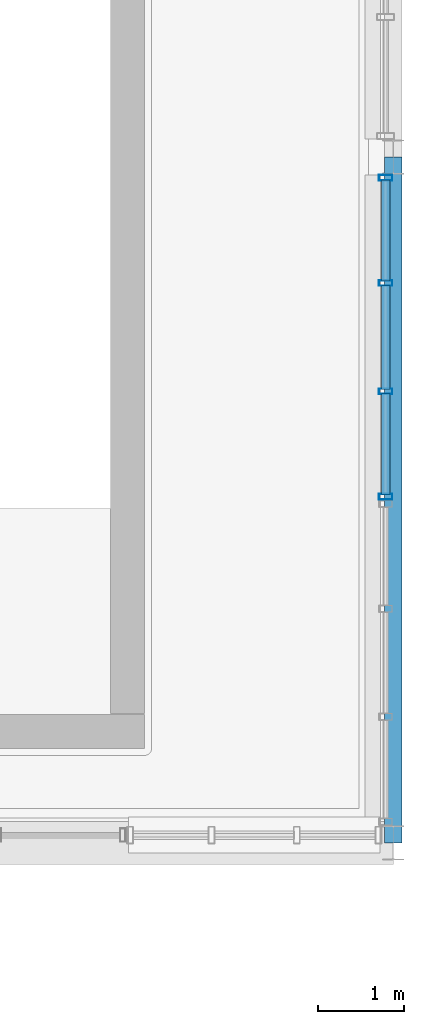
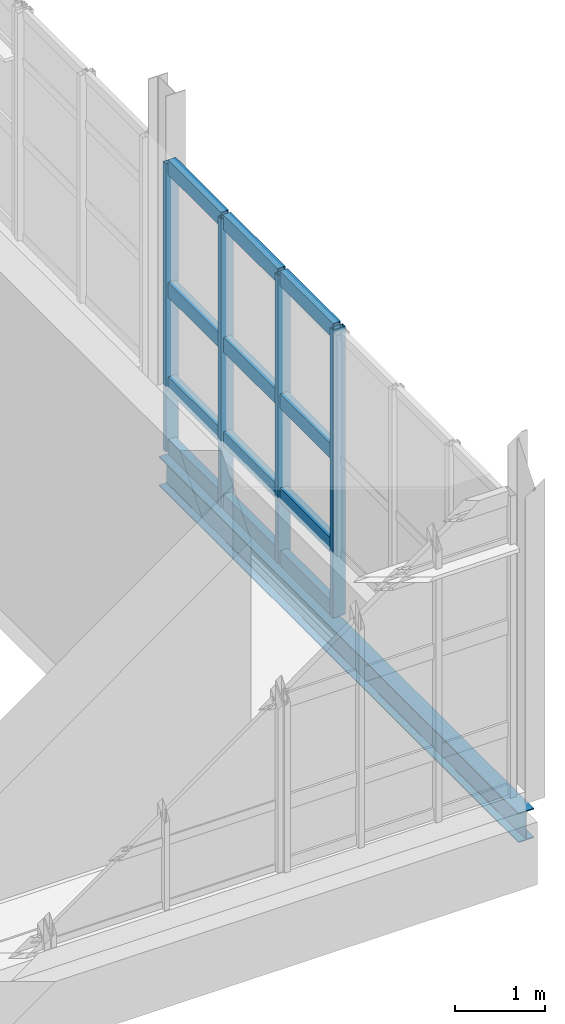
# One storey, part 54 of 102: 16 members, 1 beam, 1 element without a shape of its own.
"""IFC4 building model written with IfcOpenShell, lengths in metres."""

import ifcopenshell
import ifcopenshell.guid

model = None  # the IFC model being written
_history = None  # IfcOwnerHistory: only IFC2X3 demands one
_inside = {}  # id of a spatial element -> (the spatial element, [elements in it])
_under = {}  # id of a project, library or spatial element -> (it, [spatial elements below it])
_declared = {}  # id of a project -> (the project, [libraries it declares])
_typed = {}  # id of a type object -> (the type object, [elements of that type])
_made_of = {}  # id of a material, layer set ... -> (it, [elements and type objects made of it])


def new_model(schema):
    """Start an empty IFC model of exactly this schema.

    Asked for "IFC4X3", IfcOpenShell would pick the latest addendum, in which some entities
    have other attributes; the version numbers below select the first issue.
    IFC2X3 requires an IfcOwnerHistory on every rooted entity: one is made here for all.
    """
    global model, _history
    if schema == "IFC4X3":
        model = ifcopenshell.file(schema_version=(4, 3, 0, 0))
    else:
        model = ifcopenshell.file(schema=schema)
    _inside.clear()
    _under.clear()
    _declared.clear()
    _typed.clear()
    _made_of.clear()
    _history = None
    if model.schema == "IFC2X3":
        org = make("IfcOrganization", Name="unknown")
        user = make(
            "IfcPersonAndOrganization",
            ThePerson=make("IfcPerson", FamilyName="unknown"),
            TheOrganization=org,
        )
        app = make(
            "IfcApplication",
            ApplicationDeveloper=org,
            Version="unknown",
            ApplicationFullName="unknown",
            ApplicationIdentifier="unknown",
        )
        _history = make(
            "IfcOwnerHistory",
            OwningUser=user,
            OwningApplication=app,
            ChangeAction="ADDED",
            CreationDate=0,
        )
    return model


def make(cls, **values):
    """One entity of the class cls with the attributes given. An attribute that is None is left unset."""
    return model.create_entity(
        cls, **{name: value for name, value in values.items() if value is not None}
    )


def rooted(cls, **values):
    """An entity with a GlobalId (a new one), such as an element, a storey or a relation."""
    return make(cls, GlobalId=ifcopenshell.guid.new(), OwnerHistory=_history, **values)


def si_unit(unit_type, name, prefix=None):
    """IfcSIUnit, for example si_unit("LENGTHUNIT", "METRE", prefix="MILLI")."""
    return make("IfcSIUnit", UnitType=unit_type, Prefix=prefix, Name=name)


def derived_unit(unit_type, elements):
    """IfcDerivedUnit: a product of units, each with its exponent."""
    return make(
        "IfcDerivedUnit",
        Elements=[
            make("IfcDerivedUnitElement", Unit=unit, Exponent=power)
            for unit, power in elements
        ],
        UnitType=unit_type,
    )


def assignment(units):
    """IfcUnitAssignment: the units of a project."""
    return None if units is None else make("IfcUnitAssignment", Units=units)


def point(xyz):
    """IfcCartesianPoint."""
    return None if xyz is None else make("IfcCartesianPoint", Coordinates=xyz)


def direction(xyz):
    """IfcDirection."""
    return None if xyz is None else make("IfcDirection", DirectionRatios=xyz)


def frame(location, z_axis=None, x_axis=None):
    """IfcAxis2Placement3D, a coordinate frame: its origin and axes. An axis left out is left unset."""
    return make(
        "IfcAxis2Placement3D",
        Location=point(location),
        Axis=direction(z_axis),
        RefDirection=direction(x_axis),
    )


def frame_2d(location, x_axis=None):
    """IfcAxis2Placement2D, a coordinate frame in the plane: its origin and x axis."""
    return make(
        "IfcAxis2Placement2D", Location=point(location), RefDirection=direction(x_axis)
    )


def origin():
    """The frame at (0, 0, 0) with its axes left unset."""
    return frame((0.0, 0.0, 0.0))


def origin_2d():
    """The frame at (0, 0) in the plane with its x axis left unset."""
    return frame_2d((0.0, 0.0))


def place(relative_to, where):
    """IfcLocalPlacement: puts the frame where relative to a parent placement (None: the world)."""
    return make(
        "IfcLocalPlacement", PlacementRelTo=relative_to, RelativePlacement=where
    )


def context(
    kind, dimensions, precision=None, world=None, true_north=None, identifier=None
):
    """IfcGeometricRepresentationContext, for example the 3D "Model" context."""
    return make(
        "IfcGeometricRepresentationContext",
        ContextIdentifier=identifier,
        ContextType=kind,
        CoordinateSpaceDimension=dimensions,
        Precision=precision,
        WorldCoordinateSystem=world,
        TrueNorth=true_north,
    )


def subcontext(parent, identifier, kind, view, scale=None):
    """IfcGeometricRepresentationSubContext, for example "Body" below "Model"."""
    return make(
        "IfcGeometricRepresentationSubContext",
        ContextIdentifier=identifier,
        ContextType=kind,
        ParentContext=parent,
        TargetScale=scale,
        TargetView=view,
    )


def project(units=None, contexts=None):
    """IfcProject with its units and contexts."""
    return rooted(
        "IfcProject",
        Name="project",
        RepresentationContexts=contexts,
        UnitsInContext=assignment(units),
    )


def spatial(cls, under=None, at=None, **own):
    """A site, building, storey or space (cls), placed at a placement, below another one or the project."""
    s = rooted(cls, ObjectPlacement=at, **own)
    if under is not None:
        _under.setdefault(under.id(), (under, []))[1].append(s)
    return s


def profile(cls, at=None, kind="AREA", **sizes):
    """A parametric profile (cls). Its sizes go by their IFC names, for example OverallWidth=200.0."""
    return make(cls, ProfileType=kind, Position=at, **sizes)


def hollow_rectangle(**sizes):
    """IfcRectangleHollowProfileDef."""
    return profile("IfcRectangleHollowProfileDef", **sizes)


def i_section(**sizes):
    """IfcIShapeProfileDef."""
    return profile("IfcIShapeProfileDef", **sizes)


def extrude(swept, where, along, depth):
    """IfcExtrudedAreaSolid: the profile swept, set in the frame where, extruded along a direction by depth."""
    return make(
        "IfcExtrudedAreaSolid",
        SweptArea=swept,
        Position=where,
        ExtrudedDirection=direction(along),
        Depth=depth,
    )


def shape(context_of_items, identifier, shape_type, items):
    """IfcShapeRepresentation: the items that make up one representation, for example the "Body"."""
    return make(
        "IfcShapeRepresentation",
        ContextOfItems=context_of_items,
        RepresentationIdentifier=identifier,
        RepresentationType=shape_type,
        Items=items,
    )


def material(Name=None, Category=None):
    """IfcMaterial."""
    return make("IfcMaterial", Name=Name, Category=Category)


def layer(
    of_material, thickness, ventilated=None, Name=None, Category=None, Priority=None
):
    """IfcMaterialLayer: one layer of a wall or slab, of a material (None: an air gap)."""
    return make(
        "IfcMaterialLayer",
        Material=of_material,
        LayerThickness=thickness,
        IsVentilated=ventilated,
        Name=Name,
        Category=Category,
        Priority=Priority,
    )


def layer_set(layers, Name=None):
    """IfcMaterialLayerSet."""
    return make("IfcMaterialLayerSet", MaterialLayers=layers, LayerSetName=Name)


def material_profile(
    of_material, cross_section, Name=None, Category=None, Priority=None
):
    """IfcMaterialProfile: a cross section and its material."""
    return make(
        "IfcMaterialProfile",
        Name=Name,
        Material=of_material,
        Profile=cross_section,
        Priority=Priority,
        Category=Category,
    )


def profile_set(profiles, Name=None, composite=None):
    """IfcMaterialProfileSet."""
    return make(
        "IfcMaterialProfileSet",
        Name=Name,
        MaterialProfiles=profiles,
        CompositeProfile=composite,
    )


def made_of(thing, what):
    """Note that an element or type object is made of a material, layer set ...; save() writes the relation."""
    if what is not None:
        _made_of.setdefault(what.id(), (what, []))[1].append(thing)
    return thing


def type_object(cls, material=None, **own):
    """A type object (cls), such as IfcWallType, which elements share."""
    return made_of(rooted(cls, **own), material)


def element(
    cls,
    number,
    at=None,
    inside=None,
    cuts=None,
    type_object=None,
    material=None,
    context=None,
    identifier="Body",
    shape_type=None,
    held_by="IfcProductDefinitionShape",
    body=None,
    shapes=None,
    **own,
):
    """One element of the class cls, such as IfcWall. Its Tag is "e" and its number.

    at: its placement. inside: the storey or other place that contains it. cuts: it is an
    opening in that element (IfcRelVoidsElement). A single representation is given by context,
    identifier, shape_type and body (its items); several are given by shapes. held_by: the class
    of the entity that holds the representations. save() writes the other relations.
    """
    e = rooted(cls, Tag="e%d" % number, ObjectPlacement=at, **own)
    if body is not None:
        shapes = [shape(context, identifier, shape_type, body)]
    if shapes is not None:
        e.Representation = make(held_by, Representations=shapes)
    if inside is not None:
        _inside.setdefault(inside.id(), (inside, []))[1].append(e)
    if cuts is not None:
        rooted(
            "IfcRelVoidsElement", RelatingBuildingElement=cuts, RelatedOpeningElement=e
        )
    if type_object is not None:
        _typed.setdefault(type_object.id(), (type_object, []))[1].append(e)
    return made_of(e, material)


def aggregate(whole, parts):
    """IfcRelAggregates: a whole, such as a stair, and the parts it consists of."""
    return rooted("IfcRelAggregates", RelatingObject=whole, RelatedObjects=parts)


def save(model, path):
    """Write the relations noted so far, then the file.

    IfcRelAggregates (storeys below a building ...), IfcRelContainedInSpatialStructure (elements
    in a storey), IfcRelDefinesByType, IfcRelAssociatesMaterial and IfcRelDeclares: one each for
    every whole, place, type object, material and project.
    """
    for whole, parts in _under.values():
        aggregate(whole, parts)
    for where, things in _inside.values():
        rooted(
            "IfcRelContainedInSpatialStructure",
            RelatedElements=things,
            RelatingStructure=where,
        )
    for kind, things in _typed.values():
        rooted("IfcRelDefinesByType", RelatedObjects=things, RelatingType=kind)
    for what, things in _made_of.values():
        rooted("IfcRelAssociatesMaterial", RelatedObjects=things, RelatingMaterial=what)
    for by, libraries in _declared.values():
        rooted("IfcRelDeclares", RelatingContext=by, RelatedDefinitions=libraries)
    model.write(path)


model = new_model("IFC4")

# Units and contexts
model_context = context("Model", 3, precision=1e-05, world=origin(), true_north=direction((0.0, 1.0)))
body_context = subcontext(model_context, "Body", "Model", "MODEL_VIEW")
ifc_project = project(units=[si_unit("LENGTHUNIT", "METRE"), si_unit("AREAUNIT", "SQUARE_METRE"), si_unit("VOLUMEUNIT", "CUBIC_METRE"), si_unit("PLANEANGLEUNIT", "RADIAN"), si_unit("MASSUNIT", "GRAM", prefix="KILO"), derived_unit("THERMALTRANSMITTANCEUNIT", [(si_unit("POWERUNIT", "WATT"), 1), (si_unit("LENGTHUNIT", "METRE"), -2), (si_unit("THERMODYNAMICTEMPERATUREUNIT", "KELVIN"), -1)])], contexts=[model_context])

# Site, building, storey
site_placement = place(None, origin())
site = spatial("IfcSite", under=ifc_project, at=site_placement, CompositionType="ELEMENT")
building_placement = place(site_placement, origin())
building = spatial("IfcBuilding", under=site, at=building_placement, Name="Nallur Shell Playhouse", CompositionType="ELEMENT")
storey_placement = place(building_placement, frame((0.0, 0.0, 15.0)))
storey = spatial("IfcBuildingStorey", under=building, at=storey_placement, Name="L04", CompositionType="ELEMENT", Elevation=15.0)

# Beam
ifc_material_1 = material(Name="Steel E350", Category="steel")
ifc_material_profile_1 = material_profile(ifc_material_1, i_section(OverallWidth=0.199951171875, OverallDepth=0.39990234375, WebThickness=0.008544921875, FlangeThickness=0.012939453125, FilletRadius=0.012939453125, at=origin_2d()), Name="ISWB 400")
ifc_profile_set_1 = profile_set([ifc_material_profile_1], Name="Steel E350")
beam_type = type_object("IfcBeamType", Name="BM-ST-ISWB400", PredefinedType="BEAM", material=ifc_profile_set_1)
beam_placement = place(storey_placement, frame((159.800048828125, 24.0, -0.4599609375), z_axis=(0.0, 1.0, 0.0), x_axis=(-1.0, 0.0, 0.0)))
element("IfcBeam", 1, at=beam_placement, inside=storey, type_object=beam_type, Name="L04 girder Y-19-869", PredefinedType="BEAM", context=body_context, shape_type="SweptSolid", body=[
    extrude(i_section(OverallWidth=0.199951171875, OverallDepth=0.39990234375, WebThickness=0.008544921875, FlangeThickness=0.012939453125, FilletRadius=0.012939453125, at=origin_2d()), origin(), (0.0, 0.0, 1.0), 8.0),
])

# Curtain wall, members
ifc_material_2 = material(Name="Anodised Aluminium Double-Glazed Facade System", Category="aluminium")
ifc_layer = layer(ifc_material_2, 0.176025390625)
ifc_layer_set = layer_set([ifc_layer], Name="Anodised Aluminium Double-Glazed Facade System")
curtain_wall_type = type_object("IfcCurtainWallType", Name="CW-UNIT-22", PredefinedType="NOTDEFINED", material=ifc_layer_set)
curtain_wall_placement = place(storey_placement, origin())
curtain_wall = element("IfcCurtainWall", 2, at=curtain_wall_placement, inside=storey, type_object=curtain_wall_type, Name="Unitised curtain wall CW-118 (L04)", PredefinedType="NOTDEFINED")
ifc_material_3 = material(Name="Aluminium Alloy 6063-T6 Mullion", Category="aluminium")
ifc_material_profile_2 = material_profile(ifc_material_3, hollow_rectangle(XDim=0.06494140625, YDim=0.159912109375, WallThickness=0.00390625, at=origin_2d()), Name="ALU 65x160x4")
ifc_profile_set_2 = profile_set([ifc_material_profile_2], Name="Aluminium Alloy 6063-T6 Mullion")
member_type_1 = type_object("IfcMemberType", Name="MB-CW-MUL160", PredefinedType="MULLION", material=ifc_profile_set_2)
member_1_placement = place(storey_placement, frame((159.7099609375, 31.759521484375, -0.014892578125), z_axis=(0.0, 0.0, 1.0), x_axis=(0.0, -1.0, 0.0)))
member_1 = element("IfcMember", 3, at=member_1_placement, type_object=member_type_1, Name="CW-22 mullion 1", PredefinedType="MULLION", context=body_context, shape_type="SweptSolid", body=[
    extrude(hollow_rectangle(XDim=0.06494140625, YDim=0.159912109375, WallThickness=0.00390625, at=origin_2d()), origin(), (0.0, 0.0, 1.0), 3.913818359375),
])
member_2_placement = place(storey_placement, frame((159.7099609375, 30.52978515625, -0.014892578125), z_axis=(0.0, 0.0, 1.0), x_axis=(0.0, -1.0, 0.0)))
member_2 = element("IfcMember", 4, at=member_2_placement, type_object=member_type_1, Name="CW-22 mullion 2", PredefinedType="MULLION", context=body_context, shape_type="SweptSolid", body=[
    extrude(hollow_rectangle(XDim=0.06494140625, YDim=0.159912109375, WallThickness=0.00390625, at=origin_2d()), origin(), (0.0, 0.0, 1.0), 3.913818359375),
])
member_3_placement = place(storey_placement, frame((159.7099609375, 29.267333984375, -0.014892578125), z_axis=(0.0, 0.0, 1.0), x_axis=(0.0, -1.0, 0.0)))
member_3 = element("IfcMember", 5, at=member_3_placement, type_object=member_type_1, Name="CW-22 mullion 3", PredefinedType="MULLION", context=body_context, shape_type="SweptSolid", body=[
    extrude(hollow_rectangle(XDim=0.06494140625, YDim=0.159912109375, WallThickness=0.00390625, at=origin_2d()), origin(), (0.0, 0.0, 1.0), 3.913818359375),
])
member_4_placement = place(storey_placement, frame((159.7099609375, 28.03759765625, -0.014892578125), z_axis=(0.0, 0.0, 1.0), x_axis=(0.0, -1.0, 0.0)))
member_4 = element("IfcMember", 6, at=member_4_placement, type_object=member_type_1, Name="CW-22 mullion 4", PredefinedType="MULLION", context=body_context, shape_type="SweptSolid", body=[
    extrude(hollow_rectangle(XDim=0.06494140625, YDim=0.159912109375, WallThickness=0.00390625, at=origin_2d()), origin(), (0.0, 0.0, 1.0), 3.913818359375),
])
ifc_material_4 = material(Name="Aluminium Alloy 6063-T6 Transom", Category="aluminium")
ifc_material_profile_3 = material_profile(ifc_material_4, hollow_rectangle(XDim=0.10009765625, YDim=0.199951171875, WallThickness=0.008056640625, at=origin_2d()), Name="RHS 200x100x8")
ifc_profile_set_3 = profile_set([ifc_material_profile_3], Name="Aluminium Alloy 6063-T6 Transom")
member_type_2 = type_object("IfcMemberType", Name="MB-CW-TRN140", PredefinedType="USERDEFINED", material=ifc_profile_set_3)
member_5_placement = place(storey_placement, frame((159.7099609375, 31.735107421875, 0.050048828125), z_axis=(0.0, -1.0, 0.0), x_axis=(1.0, 0.0, 0.0)))
member_5 = element("IfcMember", 7, at=member_5_placement, type_object=member_type_2, Name="CW-22 transom 1.1", ObjectType="TRANSOM", PredefinedType="USERDEFINED", context=body_context, shape_type="SweptSolid", body=[
    extrude(hollow_rectangle(XDim=0.10009765625, YDim=0.199951171875, WallThickness=0.008056640625, at=origin_2d()), origin(), (0.0, 0.0, 1.0), 1.180908203125),
])
member_6_placement = place(storey_placement, frame((159.7099609375, 31.735107421875, 0.89990234375), z_axis=(0.0, -1.0, 0.0), x_axis=(1.0, 0.0, 0.0)))
member_6 = element("IfcMember", 8, at=member_6_placement, type_object=member_type_2, Name="CW-22 transom 1.2", ObjectType="TRANSOM", PredefinedType="USERDEFINED", context=body_context, shape_type="SweptSolid", body=[
    extrude(hollow_rectangle(XDim=0.10009765625, YDim=0.199951171875, WallThickness=0.008056640625, at=origin_2d()), origin(), (0.0, 0.0, 1.0), 1.180908203125),
])
member_7_placement = place(storey_placement, frame((159.7099609375, 31.735107421875, 2.180908203125), z_axis=(0.0, -1.0, 0.0), x_axis=(1.0, 0.0, 0.0)))
member_7 = element("IfcMember", 9, at=member_7_placement, type_object=member_type_2, Name="CW-22 transom 1.3", ObjectType="TRANSOM", PredefinedType="USERDEFINED", context=body_context, shape_type="SweptSolid", body=[
    extrude(hollow_rectangle(XDim=0.10009765625, YDim=0.199951171875, WallThickness=0.008056640625, at=origin_2d()), origin(), (0.0, 0.0, 1.0), 1.180908203125),
])
member_8_placement = place(storey_placement, frame((159.7099609375, 31.735107421875, 3.844970703125), z_axis=(0.0, -1.0, 0.0), x_axis=(1.0, 0.0, 0.0)))
member_8 = element("IfcMember", 10, at=member_8_placement, type_object=member_type_2, Name="CW-22 transom 1.4", ObjectType="TRANSOM", PredefinedType="USERDEFINED", context=body_context, shape_type="SweptSolid", body=[
    extrude(hollow_rectangle(XDim=0.10009765625, YDim=0.199951171875, WallThickness=0.008056640625, at=origin_2d()), origin(), (0.0, 0.0, 1.0), 1.180908203125),
])
member_9_placement = place(storey_placement, frame((159.7099609375, 30.505126953125, 0.050048828125), z_axis=(0.0, -1.0, 0.0), x_axis=(1.0, 0.0, 0.0)))
member_9 = element("IfcMember", 11, at=member_9_placement, type_object=member_type_2, Name="CW-22 transom 2.1", ObjectType="TRANSOM", PredefinedType="USERDEFINED", context=body_context, shape_type="SweptSolid", body=[
    extrude(hollow_rectangle(XDim=0.10009765625, YDim=0.199951171875, WallThickness=0.008056640625, at=origin_2d()), origin(), (0.0, 0.0, 1.0), 1.21337890625),
])
member_10_placement = place(storey_placement, frame((159.7099609375, 30.505126953125, 0.89990234375), z_axis=(0.0, -1.0, 0.0), x_axis=(1.0, 0.0, 0.0)))
member_10 = element("IfcMember", 12, at=member_10_placement, type_object=member_type_2, Name="CW-22 transom 2.2", ObjectType="TRANSOM", PredefinedType="USERDEFINED", context=body_context, shape_type="SweptSolid", body=[
    extrude(hollow_rectangle(XDim=0.10009765625, YDim=0.199951171875, WallThickness=0.008056640625, at=origin_2d()), origin(), (0.0, 0.0, 1.0), 1.21337890625),
])
member_11_placement = place(storey_placement, frame((159.7099609375, 30.505126953125, 2.180908203125), z_axis=(0.0, -1.0, 0.0), x_axis=(1.0, 0.0, 0.0)))
member_11 = element("IfcMember", 13, at=member_11_placement, type_object=member_type_2, Name="CW-22 transom 2.3", ObjectType="TRANSOM", PredefinedType="USERDEFINED", context=body_context, shape_type="SweptSolid", body=[
    extrude(hollow_rectangle(XDim=0.10009765625, YDim=0.199951171875, WallThickness=0.008056640625, at=origin_2d()), origin(), (0.0, 0.0, 1.0), 1.21337890625),
])
member_12_placement = place(storey_placement, frame((159.7099609375, 30.505126953125, 3.844970703125), z_axis=(0.0, -1.0, 0.0), x_axis=(1.0, 0.0, 0.0)))
member_12 = element("IfcMember", 14, at=member_12_placement, type_object=member_type_2, Name="CW-22 transom 2.4", ObjectType="TRANSOM", PredefinedType="USERDEFINED", context=body_context, shape_type="SweptSolid", body=[
    extrude(hollow_rectangle(XDim=0.10009765625, YDim=0.199951171875, WallThickness=0.008056640625, at=origin_2d()), origin(), (0.0, 0.0, 1.0), 1.21337890625),
])
member_13_placement = place(storey_placement, frame((159.7099609375, 29.242919921875, 0.050048828125), z_axis=(0.0, -1.0, 0.0), x_axis=(1.0, 0.0, 0.0)))
member_13 = element("IfcMember", 15, at=member_13_placement, type_object=member_type_2, Name="CW-22 transom 3.1", ObjectType="TRANSOM", PredefinedType="USERDEFINED", context=body_context, shape_type="SweptSolid", body=[
    extrude(hollow_rectangle(XDim=0.10009765625, YDim=0.199951171875, WallThickness=0.008056640625, at=origin_2d()), origin(), (0.0, 0.0, 1.0), 1.180908203125),
])
member_14_placement = place(storey_placement, frame((159.7099609375, 29.242919921875, 0.89990234375), z_axis=(0.0, -1.0, 0.0), x_axis=(1.0, 0.0, 0.0)))
member_14 = element("IfcMember", 16, at=member_14_placement, type_object=member_type_2, Name="CW-22 transom 3.2", ObjectType="TRANSOM", PredefinedType="USERDEFINED", context=body_context, shape_type="SweptSolid", body=[
    extrude(hollow_rectangle(XDim=0.10009765625, YDim=0.199951171875, WallThickness=0.008056640625, at=origin_2d()), origin(), (0.0, 0.0, 1.0), 1.180908203125),
])
member_15_placement = place(storey_placement, frame((159.7099609375, 29.242919921875, 2.180908203125), z_axis=(0.0, -1.0, 0.0), x_axis=(1.0, 0.0, 0.0)))
member_15 = element("IfcMember", 17, at=member_15_placement, type_object=member_type_2, Name="CW-22 transom 3.3", ObjectType="TRANSOM", PredefinedType="USERDEFINED", context=body_context, shape_type="SweptSolid", body=[
    extrude(hollow_rectangle(XDim=0.10009765625, YDim=0.199951171875, WallThickness=0.008056640625, at=origin_2d()), origin(), (0.0, 0.0, 1.0), 1.180908203125),
])
member_16_placement = place(storey_placement, frame((159.7099609375, 29.242919921875, 3.844970703125), z_axis=(0.0, -1.0, 0.0), x_axis=(1.0, 0.0, 0.0)))
member_16 = element("IfcMember", 18, at=member_16_placement, type_object=member_type_2, Name="CW-22 transom 3.4", ObjectType="TRANSOM", PredefinedType="USERDEFINED", context=body_context, shape_type="SweptSolid", body=[
    extrude(hollow_rectangle(XDim=0.10009765625, YDim=0.199951171875, WallThickness=0.008056640625, at=origin_2d()), origin(), (0.0, 0.0, 1.0), 1.180908203125),
])
aggregate(curtain_wall, [member_1, member_2, member_3, member_4, member_5, member_6, member_7, member_8, member_9, member_10, member_11, member_12, member_13, member_14, member_15, member_16])

save(model, "model.ifc")
